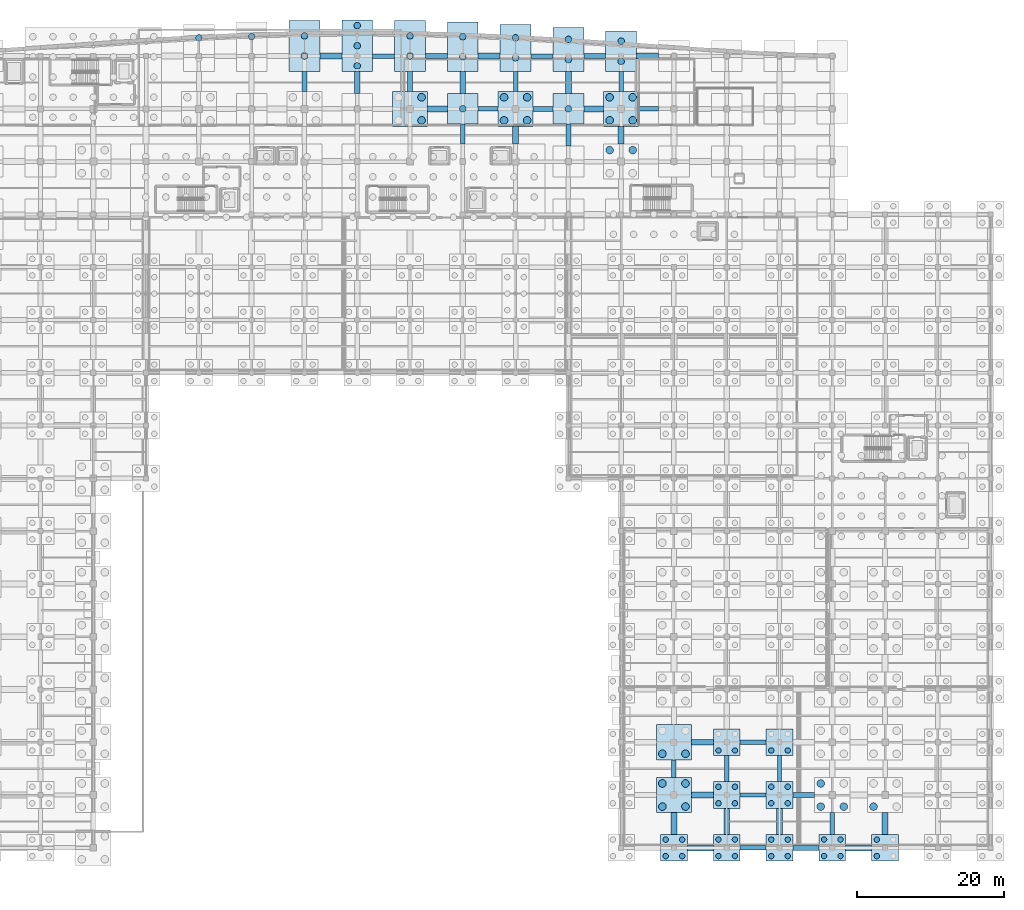
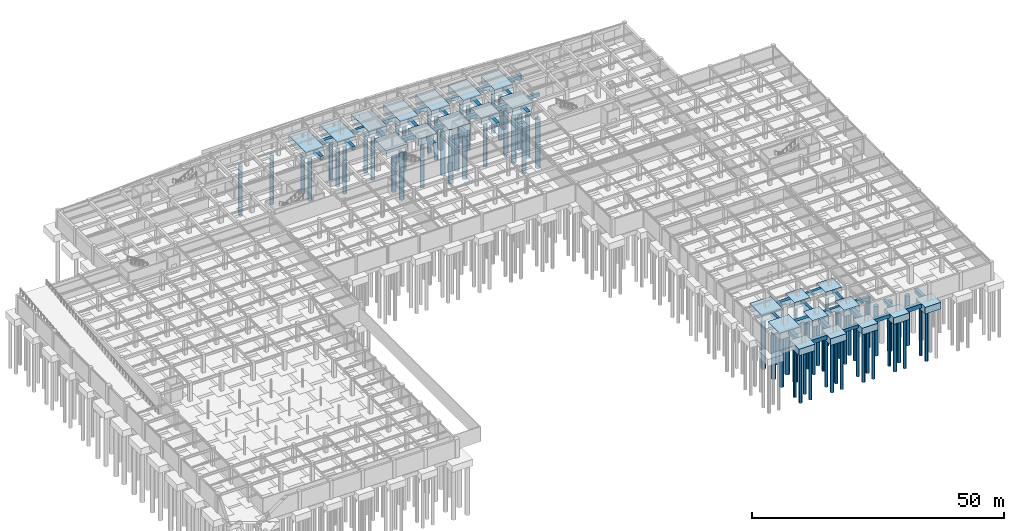
# One storey, part 8 of 48: 71 piles, 63 footings.
"""IFC4 building model written with IfcOpenShell, lengths in metres."""

import ifcopenshell
import ifcopenshell.guid

model = None  # the IFC model being written
_history = None  # IfcOwnerHistory: only IFC2X3 demands one
_inside = {}  # id of a spatial element -> (the spatial element, [elements in it])
_under = {}  # id of a project, library or spatial element -> (it, [spatial elements below it])
_declared = {}  # id of a project -> (the project, [libraries it declares])
_typed = {}  # id of a type object -> (the type object, [elements of that type])
_made_of = {}  # id of a material, layer set ... -> (it, [elements and type objects made of it])


def new_model(schema):
    """Start an empty IFC model of exactly this schema.

    Asked for "IFC4X3", IfcOpenShell would pick the latest addendum, in which some entities
    have other attributes; the version numbers below select the first issue.
    IFC2X3 requires an IfcOwnerHistory on every rooted entity: one is made here for all.
    """
    global model, _history
    if schema == "IFC4X3":
        model = ifcopenshell.file(schema_version=(4, 3, 0, 0))
    else:
        model = ifcopenshell.file(schema=schema)
    _inside.clear()
    _under.clear()
    _declared.clear()
    _typed.clear()
    _made_of.clear()
    _history = None
    if model.schema == "IFC2X3":
        org = make("IfcOrganization", Name="unknown")
        user = make(
            "IfcPersonAndOrganization",
            ThePerson=make("IfcPerson", FamilyName="unknown"),
            TheOrganization=org,
        )
        app = make(
            "IfcApplication",
            ApplicationDeveloper=org,
            Version="unknown",
            ApplicationFullName="unknown",
            ApplicationIdentifier="unknown",
        )
        _history = make(
            "IfcOwnerHistory",
            OwningUser=user,
            OwningApplication=app,
            ChangeAction="ADDED",
            CreationDate=0,
        )
    return model


def make(cls, **values):
    """One entity of the class cls with the attributes given. An attribute that is None is left unset."""
    return model.create_entity(
        cls, **{name: value for name, value in values.items() if value is not None}
    )


def rooted(cls, **values):
    """An entity with a GlobalId (a new one), such as an element, a storey or a relation."""
    return make(cls, GlobalId=ifcopenshell.guid.new(), OwnerHistory=_history, **values)


def si_unit(unit_type, name, prefix=None):
    """IfcSIUnit, for example si_unit("LENGTHUNIT", "METRE", prefix="MILLI")."""
    return make("IfcSIUnit", UnitType=unit_type, Prefix=prefix, Name=name)


def assignment(units):
    """IfcUnitAssignment: the units of a project."""
    return None if units is None else make("IfcUnitAssignment", Units=units)


def point(xyz):
    """IfcCartesianPoint."""
    return None if xyz is None else make("IfcCartesianPoint", Coordinates=xyz)


def direction(xyz):
    """IfcDirection."""
    return None if xyz is None else make("IfcDirection", DirectionRatios=xyz)


def frame(location, z_axis=None, x_axis=None):
    """IfcAxis2Placement3D, a coordinate frame: its origin and axes. An axis left out is left unset."""
    return make(
        "IfcAxis2Placement3D",
        Location=point(location),
        Axis=direction(z_axis),
        RefDirection=direction(x_axis),
    )


def frame_2d(location, x_axis=None):
    """IfcAxis2Placement2D, a coordinate frame in the plane: its origin and x axis."""
    return make(
        "IfcAxis2Placement2D", Location=point(location), RefDirection=direction(x_axis)
    )


def origin():
    """The frame at (0, 0, 0) with its axes left unset."""
    return frame((0.0, 0.0, 0.0))


def origin_2d():
    """The frame at (0, 0) in the plane with its x axis left unset."""
    return frame_2d((0.0, 0.0))


def place(relative_to, where):
    """IfcLocalPlacement: puts the frame where relative to a parent placement (None: the world)."""
    return make(
        "IfcLocalPlacement", PlacementRelTo=relative_to, RelativePlacement=where
    )


def context(
    kind, dimensions, precision=None, world=None, true_north=None, identifier=None
):
    """IfcGeometricRepresentationContext, for example the 3D "Model" context."""
    return make(
        "IfcGeometricRepresentationContext",
        ContextIdentifier=identifier,
        ContextType=kind,
        CoordinateSpaceDimension=dimensions,
        Precision=precision,
        WorldCoordinateSystem=world,
        TrueNorth=true_north,
    )


def subcontext(parent, identifier, kind, view, scale=None):
    """IfcGeometricRepresentationSubContext, for example "Body" below "Model"."""
    return make(
        "IfcGeometricRepresentationSubContext",
        ContextIdentifier=identifier,
        ContextType=kind,
        ParentContext=parent,
        TargetScale=scale,
        TargetView=view,
    )


def project(units=None, contexts=None):
    """IfcProject with its units and contexts."""
    return rooted(
        "IfcProject",
        Name="project",
        RepresentationContexts=contexts,
        UnitsInContext=assignment(units),
    )


def spatial(cls, under=None, at=None, **own):
    """A site, building, storey or space (cls), placed at a placement, below another one or the project."""
    s = rooted(cls, ObjectPlacement=at, **own)
    if under is not None:
        _under.setdefault(under.id(), (under, []))[1].append(s)
    return s


def profile(cls, at=None, kind="AREA", **sizes):
    """A parametric profile (cls). Its sizes go by their IFC names, for example OverallWidth=200.0."""
    return make(cls, ProfileType=kind, Position=at, **sizes)


def rectangle(**sizes):
    """IfcRectangleProfileDef."""
    return profile("IfcRectangleProfileDef", **sizes)


def circle(**sizes):
    """IfcCircleProfileDef."""
    return profile("IfcCircleProfileDef", **sizes)


def extrude(swept, where, along, depth):
    """IfcExtrudedAreaSolid: the profile swept, set in the frame where, extruded along a direction by depth."""
    return make(
        "IfcExtrudedAreaSolid",
        SweptArea=swept,
        Position=where,
        ExtrudedDirection=direction(along),
        Depth=depth,
    )


def shape(context_of_items, identifier, shape_type, items):
    """IfcShapeRepresentation: the items that make up one representation, for example the "Body"."""
    return make(
        "IfcShapeRepresentation",
        ContextOfItems=context_of_items,
        RepresentationIdentifier=identifier,
        RepresentationType=shape_type,
        Items=items,
    )


def material(Name=None, Category=None):
    """IfcMaterial."""
    return make("IfcMaterial", Name=Name, Category=Category)


def material_profile(
    of_material, cross_section, Name=None, Category=None, Priority=None
):
    """IfcMaterialProfile: a cross section and its material."""
    return make(
        "IfcMaterialProfile",
        Name=Name,
        Material=of_material,
        Profile=cross_section,
        Priority=Priority,
        Category=Category,
    )


def profile_set(profiles, Name=None, composite=None):
    """IfcMaterialProfileSet."""
    return make(
        "IfcMaterialProfileSet",
        Name=Name,
        MaterialProfiles=profiles,
        CompositeProfile=composite,
    )


def made_of(thing, what):
    """Note that an element or type object is made of a material, layer set ...; save() writes the relation."""
    if what is not None:
        _made_of.setdefault(what.id(), (what, []))[1].append(thing)
    return thing


def type_object(cls, material=None, **own):
    """A type object (cls), such as IfcWallType, which elements share."""
    return made_of(rooted(cls, **own), material)


def element(
    cls,
    number,
    at=None,
    inside=None,
    cuts=None,
    type_object=None,
    material=None,
    context=None,
    identifier="Body",
    shape_type=None,
    held_by="IfcProductDefinitionShape",
    body=None,
    shapes=None,
    **own,
):
    """One element of the class cls, such as IfcWall. Its Tag is "e" and its number.

    at: its placement. inside: the storey or other place that contains it. cuts: it is an
    opening in that element (IfcRelVoidsElement). A single representation is given by context,
    identifier, shape_type and body (its items); several are given by shapes. held_by: the class
    of the entity that holds the representations. save() writes the other relations.
    """
    e = rooted(cls, Tag="e%d" % number, ObjectPlacement=at, **own)
    if body is not None:
        shapes = [shape(context, identifier, shape_type, body)]
    if shapes is not None:
        e.Representation = make(held_by, Representations=shapes)
    if inside is not None:
        _inside.setdefault(inside.id(), (inside, []))[1].append(e)
    if cuts is not None:
        rooted(
            "IfcRelVoidsElement", RelatingBuildingElement=cuts, RelatedOpeningElement=e
        )
    if type_object is not None:
        _typed.setdefault(type_object.id(), (type_object, []))[1].append(e)
    return made_of(e, material)


def aggregate(whole, parts):
    """IfcRelAggregates: a whole, such as a stair, and the parts it consists of."""
    return rooted("IfcRelAggregates", RelatingObject=whole, RelatedObjects=parts)


def save(model, path):
    """Write the relations noted so far, then the file.

    IfcRelAggregates (storeys below a building ...), IfcRelContainedInSpatialStructure (elements
    in a storey), IfcRelDefinesByType, IfcRelAssociatesMaterial and IfcRelDeclares: one each for
    every whole, place, type object, material and project.
    """
    for whole, parts in _under.values():
        aggregate(whole, parts)
    for where, things in _inside.values():
        rooted(
            "IfcRelContainedInSpatialStructure",
            RelatedElements=things,
            RelatingStructure=where,
        )
    for kind, things in _typed.values():
        rooted("IfcRelDefinesByType", RelatedObjects=things, RelatingType=kind)
    for what, things in _made_of.values():
        rooted("IfcRelAssociatesMaterial", RelatedObjects=things, RelatingMaterial=what)
    for by, libraries in _declared.values():
        rooted("IfcRelDeclares", RelatingContext=by, RelatedDefinitions=libraries)
    model.write(path)


model = new_model("IFC4")

# Units and contexts
model_context = context("Model", 3, precision=1e-05, world=origin(), true_north=direction((0.0, 1.0)))
body_context = subcontext(model_context, "Body", "Model", "MODEL_VIEW")
ifc_project = project(units=[si_unit("LENGTHUNIT", "METRE"), si_unit("AREAUNIT", "SQUARE_METRE"), si_unit("VOLUMEUNIT", "CUBIC_METRE"), si_unit("PLANEANGLEUNIT", "RADIAN"), si_unit("MASSUNIT", "GRAM", prefix="KILO")], contexts=[model_context])

# Site, building, storey
site_placement = place(None, origin())
site = spatial("IfcSite", under=ifc_project, at=site_placement, CompositionType="ELEMENT")
building_placement = place(site_placement, origin())
building = spatial("IfcBuilding", under=site, at=building_placement, Name="Carrowvane Square Congress Hotel", CompositionType="ELEMENT")
storey_placement = place(building_placement, frame((0.0, 0.0, -4.5)))
storey = spatial("IfcBuildingStorey", under=building, at=storey_placement, Name="B01", CompositionType="ELEMENT", Elevation=-4.5)

# Footings
ifc_material_1 = material(Name="Concrete C35/45", Category="concrete")
ifc_material_profile_1 = material_profile(ifc_material_1, rectangle(XDim=0.60009765625, YDim=0.800048828125, at=origin_2d()), Name="RC 600x800")
ifc_profile_set_1 = profile_set([ifc_material_profile_1], Name="Concrete C35/45")
footing_type_1 = type_object("IfcFootingType", Name="FTG-BM-600x800", PredefinedType="FOOTING_BEAM", material=ifc_profile_set_1)
footing_1_placement = place(storey_placement, frame((112.39990234375, 101.39990234375, -0.39990234375), z_axis=(0.0, 1.0, 0.0), x_axis=(-1.0, 0.0, 0.0)))
element("IfcFooting", 1, at=footing_1_placement, inside=storey, type_object=footing_type_1, Name="Ground tie beam 134", PredefinedType="FOOTING_BEAM", context=body_context, shape_type="SweptSolid", body=[
    extrude(rectangle(XDim=0.60009765625, YDim=0.800048828125, at=origin_2d()), origin(), (0.0, 0.0, 1.0), 2.7001953125),
])
for number, where, z_axis, x_axis, name in (
    (2, (119.60009765625, 108.60009765625, -0.39990234375), (0.0, 1.0, 0.0), (-1.0, 0.0, 0.0), "Ground tie beam 139"),
    (3, (134.0, 108.60009765625, -0.39990234375), (0.0, 1.0, 0.0), (-1.0, 0.0, 0.0), "Ground tie beam 155"),
):
    element("IfcFooting", number, at=place(storey_placement, frame(where, z_axis=z_axis, x_axis=x_axis)), inside=storey, type_object=footing_type_1, Name=name, PredefinedType="FOOTING_BEAM", context=body_context, shape_type="SweptSolid", body=[
        extrude(rectangle(XDim=0.60009765625, YDim=0.800048828125, at=origin_2d()), origin(), (0.0, 0.0, 1.0), 2.699951171875),
    ])
footing_2_placement = place(storey_placement, frame((141.199951171875, 15.0, -0.39990234375), z_axis=(0.0, 1.0, 0.0), x_axis=(-1.0, 0.0, 0.0)))
element("IfcFooting", 4, at=footing_2_placement, inside=storey, type_object=footing_type_1, Name="Ground tie beam 157", PredefinedType="FOOTING_BEAM", context=body_context, shape_type="SweptSolid", body=[
    extrude(rectangle(XDim=0.60009765625, YDim=0.800048828125, at=origin_2d()), origin(), (0.0, 0.0, 1.0), 2.39990234375),
])
for number, where, z_axis, x_axis, name in (
    (5, (148.39990234375, 14.425048828125, -0.39990234375), (0.0, 1.0, 0.0), (-1.0, 0.0, 0.0), "Ground tie beam 171"),
    (6, (155.60009765625, 14.425048828125, -0.39990234375), (0.0, 1.0, 0.0), (-1.0, 0.0, 0.0), "Ground tie beam 185"),
):
    element("IfcFooting", number, at=place(storey_placement, frame(where, z_axis=z_axis, x_axis=x_axis)), inside=storey, type_object=footing_type_1, Name=name, PredefinedType="FOOTING_BEAM", context=body_context, shape_type="SweptSolid", body=[
        extrude(rectangle(XDim=0.60009765625, YDim=0.800048828125, at=origin_2d()), origin(), (0.0, 0.0, 1.0), 3.550048828125),
    ])
footing_3_placement = place(storey_placement, frame((162.800048828125, 7.22509765625, -0.39990234375), z_axis=(0.0, 1.0, 0.0), x_axis=(-1.0, 0.0, 0.0)))
element("IfcFooting", 7, at=footing_3_placement, inside=storey, type_object=footing_type_1, Name="Ground tie beam 199", PredefinedType="FOOTING_BEAM", context=body_context, shape_type="SweptSolid", body=[
    extrude(rectangle(XDim=0.60009765625, YDim=0.800048828125, at=origin_2d()), origin(), (0.0, 0.0, 1.0), 2.974853515625),
])
for number, where, z_axis, x_axis, name in (
    (8, (150.22509765625, 5.39990234375, -0.39990234375), (1.0, 0.0, 0.0), (0.0, 1.0, 0.0), "Ground tie beam 253"),
    (9, (150.22509765625, 12.60009765625, -0.39990234375), (1.0, 0.0, 0.0), (0.0, 1.0, 0.0), "Ground tie beam 267"),
    (10, (150.22509765625, 19.800048828125, -0.39990234375), (1.0, 0.0, 0.0), (0.0, 1.0, 0.0), "Ground tie beam 281"),
):
    element("IfcFooting", number, at=place(storey_placement, frame(where, z_axis=z_axis, x_axis=x_axis)), inside=storey, type_object=footing_type_1, Name=name, PredefinedType="FOOTING_BEAM", context=body_context, shape_type="SweptSolid", body=[
        extrude(rectangle(XDim=0.60009765625, YDim=0.800048828125, at=origin_2d()), origin(), (0.0, 0.0, 1.0), 3.5498046875),
    ])
footing_4_placement = place(storey_placement, frame((114.5, 106.199951171875, -0.39990234375), z_axis=(1.0, 0.0, 0.0), x_axis=(0.0, 1.0, 0.0)))
element("IfcFooting", 11, at=footing_4_placement, inside=storey, type_object=footing_type_1, Name="Ground tie beam 473", PredefinedType="FOOTING_BEAM", context=body_context, shape_type="SweptSolid", body=[
    extrude(rectangle(XDim=0.60009765625, YDim=0.800048828125, at=origin_2d()), origin(), (0.0, 0.0, 1.0), 2.699951171875),
])
footing_5_placement = place(storey_placement, frame((136.39990234375, 106.199951171875, -0.39990234375), z_axis=(1.0, 0.0, 0.0), x_axis=(0.0, 1.0, 0.0)))
element("IfcFooting", 12, at=footing_5_placement, inside=storey, type_object=footing_type_1, Name="Ground tie beam 476", PredefinedType="FOOTING_BEAM", context=body_context, shape_type="SweptSolid", body=[
    extrude(rectangle(XDim=0.60009765625, YDim=0.800048828125, at=origin_2d()), origin(), (0.0, 0.0, 1.0), 2.7001953125),
])
for number, where, z_axis, x_axis, name in (
    (13, (100.10009765625, 113.39990234375, -0.39990234375), (1.0, 0.0, 0.0), (0.0, 1.0, 0.0), "Ground tie beam 487"),
    (14, (121.699951171875, 113.39990234375, -0.39990234375), (1.0, 0.0, 0.0), (0.0, 1.0, 0.0), "Ground tie beam 490"),
):
    element("IfcFooting", number, at=place(storey_placement, frame(where, z_axis=z_axis, x_axis=x_axis)), inside=storey, type_object=footing_type_1, Name=name, PredefinedType="FOOTING_BEAM", context=body_context, shape_type="SweptSolid", body=[
        extrude(rectangle(XDim=0.60009765625, YDim=0.800048828125, at=origin_2d()), origin(), (0.0, 0.0, 1.0), 3.0),
    ])
ifc_material_2 = material(Name="Concrete C35/45", Category="concrete")
ifc_material_profile_2 = material_profile(ifc_material_2, rectangle(XDim=0.699951171875, YDim=0.89990234375, at=origin_2d()), Name="RC 700x900")
ifc_profile_set_2 = profile_set([ifc_material_profile_2], Name="Concrete C35/45")
footing_type_2 = type_object("IfcFootingType", Name="FTG-BM-700x900", PredefinedType="FOOTING_BEAM", material=ifc_profile_set_2)
footing_6_placement = place(storey_placement, frame((90.800048828125, 108.60009765625, -0.449951171875), z_axis=(0.0, 1.0, 0.0), x_axis=(-1.0, 0.0, 0.0)))
element("IfcFooting", 15, at=footing_6_placement, inside=storey, type_object=footing_type_2, Name="Ground tie beam 120", PredefinedType="FOOTING_BEAM", context=body_context, shape_type="SweptSolid", body=[
    extrude(rectangle(XDim=0.699951171875, YDim=0.89990234375, at=origin_2d()), origin(), (0.0, 0.0, 1.0), 2.699951171875),
])
footing_7_placement = place(storey_placement, frame((98.0, 108.300048828125, -0.449951171875), z_axis=(0.0, 1.0, 0.0), x_axis=(-1.0, 0.0, 0.0)))
element("IfcFooting", 16, at=footing_7_placement, inside=storey, type_object=footing_type_2, Name="Ground tie beam 125", PredefinedType="FOOTING_BEAM", context=body_context, shape_type="SweptSolid", body=[
    extrude(rectangle(XDim=0.699951171875, YDim=0.89990234375, at=origin_2d()), origin(), (0.0, 0.0, 1.0), 3.0),
])
footing_8_placement = place(storey_placement, frame((105.199951171875, 108.60009765625, -0.449951171875), z_axis=(0.0, 1.0, 0.0), x_axis=(-1.0, 0.0, 0.0)))
element("IfcFooting", 17, at=footing_8_placement, inside=storey, type_object=footing_type_2, Name="Ground tie beam 130", PredefinedType="FOOTING_BEAM", context=body_context, shape_type="SweptSolid", body=[
    extrude(rectangle(XDim=0.699951171875, YDim=0.89990234375, at=origin_2d()), origin(), (0.0, 0.0, 1.0), 2.699951171875),
])
for number, where, z_axis, x_axis, name in (
    (18, (112.39990234375, 108.300048828125, -0.449951171875), (0.0, 1.0, 0.0), (-1.0, 0.0, 0.0), "Ground tie beam 135"),
    (19, (126.800048828125, 101.10009765625, -0.449951171875), (0.0, 1.0, 0.0), (-1.0, 0.0, 0.0), "Ground tie beam 145"),
):
    element("IfcFooting", number, at=place(storey_placement, frame(where, z_axis=z_axis, x_axis=x_axis)), inside=storey, type_object=footing_type_2, Name=name, PredefinedType="FOOTING_BEAM", context=body_context, shape_type="SweptSolid", body=[
        extrude(rectangle(XDim=0.699951171875, YDim=0.89990234375, at=origin_2d()), origin(), (0.0, 0.0, 1.0), 3.0),
    ])
footing_9_placement = place(storey_placement, frame((157.425048828125, 5.39990234375, -0.449951171875), z_axis=(1.0, 0.0, 0.0), x_axis=(0.0, 1.0, 0.0)))
element("IfcFooting", 20, at=footing_9_placement, inside=storey, type_object=footing_type_2, Name="Ground tie beam 254", PredefinedType="FOOTING_BEAM", context=body_context, shape_type="SweptSolid", body=[
    extrude(rectangle(XDim=0.699951171875, YDim=0.89990234375, at=origin_2d()), origin(), (0.0, 0.0, 1.0), 3.550048828125),
])
footing_10_placement = place(storey_placement, frame((157.425048828125, 12.60009765625, -0.449951171875), z_axis=(1.0, 0.0, 0.0), x_axis=(0.0, 1.0, 0.0)))
element("IfcFooting", 21, at=footing_10_placement, inside=storey, type_object=footing_type_2, Name="Ground tie beam 268", PredefinedType="FOOTING_BEAM", context=body_context, shape_type="SweptSolid", body=[
    extrude(rectangle(XDim=0.699951171875, YDim=0.89990234375, at=origin_2d()), origin(), (0.0, 0.0, 1.0), 2.974853515625),
])
footing_11_placement = place(storey_placement, frame((122.0, 106.199951171875, -0.449951171875), z_axis=(1.0, 0.0, 0.0), x_axis=(0.0, 1.0, 0.0)))
element("IfcFooting", 22, at=footing_11_placement, inside=storey, type_object=footing_type_2, Name="Ground tie beam 474", PredefinedType="FOOTING_BEAM", context=body_context, shape_type="SweptSolid", body=[
    extrude(rectangle(XDim=0.699951171875, YDim=0.89990234375, at=origin_2d()), origin(), (0.0, 0.0, 1.0), 2.699951171875),
])
for number, where, z_axis, x_axis, name in (
    (23, (107.300048828125, 113.39990234375, -0.449951171875), (1.0, 0.0, 0.0), (0.0, 1.0, 0.0), "Ground tie beam 488"),
    (24, (128.89990234375, 113.39990234375, -0.449951171875), (1.0, 0.0, 0.0), (0.0, 1.0, 0.0), "Ground tie beam 491"),
):
    element("IfcFooting", number, at=place(storey_placement, frame(where, z_axis=z_axis, x_axis=x_axis)), inside=storey, type_object=footing_type_2, Name=name, PredefinedType="FOOTING_BEAM", context=body_context, shape_type="SweptSolid", body=[
        extrude(rectangle(XDim=0.699951171875, YDim=0.89990234375, at=origin_2d()), origin(), (0.0, 0.0, 1.0), 3.0),
    ])
ifc_material_3 = material(Name="Concrete C35/45", Category="concrete")
ifc_material_profile_3 = material_profile(ifc_material_3, rectangle(XDim=0.800048828125, YDim=1.0, at=origin_2d()), Name="RC 800x1000")
ifc_profile_set_3 = profile_set([ifc_material_profile_3], Name="Concrete C35/45")
footing_type_3 = type_object("IfcFootingType", Name="FTG-BM-800x1000", PredefinedType="FOOTING_BEAM", material=ifc_profile_set_3)
footing_12_placement = place(storey_placement, frame((119.60009765625, 101.39990234375, -0.5), z_axis=(0.0, 1.0, 0.0), x_axis=(-1.0, 0.0, 0.0)))
element("IfcFooting", 25, at=footing_12_placement, inside=storey, type_object=footing_type_3, Name="Ground tie beam 138", PredefinedType="FOOTING_BEAM", context=body_context, shape_type="SweptSolid", body=[
    extrude(rectangle(XDim=0.800048828125, YDim=1.0, at=origin_2d()), origin(), (0.0, 0.0, 1.0), 2.400146484375),
])
footing_13_placement = place(storey_placement, frame((126.800048828125, 108.300048828125, -0.5), z_axis=(0.0, 1.0, 0.0), x_axis=(-1.0, 0.0, 0.0)))
element("IfcFooting", 26, at=footing_13_placement, inside=storey, type_object=footing_type_3, Name="Ground tie beam 146", PredefinedType="FOOTING_BEAM", context=body_context, shape_type="SweptSolid", body=[
    extrude(rectangle(XDim=0.800048828125, YDim=1.0, at=origin_2d()), origin(), (0.0, 0.0, 1.0), 3.0),
])
footing_14_placement = place(storey_placement, frame((134.0, 101.39990234375, -0.5), z_axis=(0.0, 1.0, 0.0), x_axis=(-1.0, 0.0, 0.0)))
element("IfcFooting", 27, at=footing_14_placement, inside=storey, type_object=footing_type_3, Name="Ground tie beam 154", PredefinedType="FOOTING_BEAM", context=body_context, shape_type="SweptSolid", body=[
    extrude(rectangle(XDim=0.800048828125, YDim=1.0, at=origin_2d()), origin(), (0.0, 0.0, 1.0), 2.400146484375),
])
footing_15_placement = place(storey_placement, frame((141.199951171875, 7.22509765625, -0.5), z_axis=(0.0, 1.0, 0.0), x_axis=(-1.0, 0.0, 0.0)))
element("IfcFooting", 28, at=footing_15_placement, inside=storey, type_object=footing_type_3, Name="Ground tie beam 156", PredefinedType="FOOTING_BEAM", context=body_context, shape_type="SweptSolid", body=[
    extrude(rectangle(XDim=0.800048828125, YDim=1.0, at=origin_2d()), origin(), (0.0, 0.0, 1.0), 2.974853515625),
])
for number, where, z_axis, x_axis, name in (
    (29, (148.39990234375, 7.22509765625, -0.5), (0.0, 1.0, 0.0), (-1.0, 0.0, 0.0), "Ground tie beam 170"),
    (30, (155.60009765625, 7.22509765625, -0.5), (0.0, 1.0, 0.0), (-1.0, 0.0, 0.0), "Ground tie beam 184"),
):
    element("IfcFooting", number, at=place(storey_placement, frame(where, z_axis=z_axis, x_axis=x_axis)), inside=storey, type_object=footing_type_3, Name=name, PredefinedType="FOOTING_BEAM", context=body_context, shape_type="SweptSolid", body=[
        extrude(rectangle(XDim=0.800048828125, YDim=1.0, at=origin_2d()), origin(), (0.0, 0.0, 1.0), 3.5498046875),
    ])
footing_16_placement = place(storey_placement, frame((170.0, 7.22509765625, -0.5), z_axis=(0.0, 1.0, 0.0), x_axis=(-1.0, 0.0, 0.0)))
element("IfcFooting", 31, at=footing_16_placement, inside=storey, type_object=footing_type_3, Name="Ground tie beam 212", PredefinedType="FOOTING_BEAM", context=body_context, shape_type="SweptSolid", body=[
    extrude(rectangle(XDim=0.800048828125, YDim=1.0, at=origin_2d()), origin(), (0.0, 0.0, 1.0), 2.974853515625),
])
for number, where, z_axis, x_axis, name in (
    (32, (143.02490234375, 5.39990234375, -0.5), (1.0, 0.0, 0.0), (0.0, 1.0, 0.0), "Ground tie beam 252"),
    (33, (164.625, 5.39990234375, -0.5), (1.0, 0.0, 0.0), (0.0, 1.0, 0.0), "Ground tie beam 255"),
):
    element("IfcFooting", number, at=place(storey_placement, frame(where, z_axis=z_axis, x_axis=x_axis)), inside=storey, type_object=footing_type_3, Name=name, PredefinedType="FOOTING_BEAM", context=body_context, shape_type="SweptSolid", body=[
        extrude(rectangle(XDim=0.800048828125, YDim=1.0, at=origin_2d()), origin(), (0.0, 0.0, 1.0), 3.550048828125),
    ])
for number, where, z_axis, x_axis, name in (
    (34, (143.60009765625, 12.60009765625, -0.5), (1.0, 0.0, 0.0), (0.0, 1.0, 0.0), "Ground tie beam 266"),
    (35, (143.60009765625, 19.800048828125, -0.5), (1.0, 0.0, 0.0), (0.0, 1.0, 0.0), "Ground tie beam 280"),
):
    element("IfcFooting", number, at=place(storey_placement, frame(where, z_axis=z_axis, x_axis=x_axis)), inside=storey, type_object=footing_type_3, Name=name, PredefinedType="FOOTING_BEAM", context=body_context, shape_type="SweptSolid", body=[
        extrude(rectangle(XDim=0.800048828125, YDim=1.0, at=origin_2d()), origin(), (0.0, 0.0, 1.0), 2.974853515625),
    ])
footing_17_placement = place(storey_placement, frame((107.60009765625, 106.199951171875, -0.5), z_axis=(1.0, 0.0, 0.0), x_axis=(0.0, 1.0, 0.0)))
element("IfcFooting", 36, at=footing_17_placement, inside=storey, type_object=footing_type_3, Name="Ground tie beam 472", PredefinedType="FOOTING_BEAM", context=body_context, shape_type="SweptSolid", body=[
    extrude(rectangle(XDim=0.800048828125, YDim=1.0, at=origin_2d()), origin(), (0.0, 0.0, 1.0), 2.699951171875),
])
footing_18_placement = place(storey_placement, frame((128.89990234375, 106.199951171875, -0.5), z_axis=(1.0, 0.0, 0.0), x_axis=(0.0, 1.0, 0.0)))
element("IfcFooting", 37, at=footing_18_placement, inside=storey, type_object=footing_type_3, Name="Ground tie beam 475", PredefinedType="FOOTING_BEAM", context=body_context, shape_type="SweptSolid", body=[
    extrude(rectangle(XDim=0.800048828125, YDim=1.0, at=origin_2d()), origin(), (0.0, 0.0, 1.0), 2.7001953125),
])
for number, where, z_axis, x_axis, name in (
    (38, (92.89990234375, 113.39990234375, -0.5), (1.0, 0.0, 0.0), (0.0, 1.0, 0.0), "Ground tie beam 486"),
    (39, (114.5, 113.39990234375, -0.5), (1.0, 0.0, 0.0), (0.0, 1.0, 0.0), "Ground tie beam 489"),
    (40, (136.10009765625, 113.39990234375, -0.5), (1.0, 0.0, 0.0), (0.0, 1.0, 0.0), "Ground tie beam 492"),
):
    element("IfcFooting", number, at=place(storey_placement, frame(where, z_axis=z_axis, x_axis=x_axis)), inside=storey, type_object=footing_type_3, Name=name, PredefinedType="FOOTING_BEAM", context=body_context, shape_type="SweptSolid", body=[
        extrude(rectangle(XDim=0.800048828125, YDim=1.0, at=origin_2d()), origin(), (0.0, 0.0, 1.0), 3.0),
    ])
ifc_material_4 = material(Name="Concrete C35/45", Category="concrete")
footing_type_4 = type_object("IfcFootingType", Name="FTG-PC-01", PredefinedType="PILE_CAP", material=ifc_material_4)
for number, where, z_axis, x_axis, name in (
    (41, (141.199951171875, 12.60009765625, -1.60009765625), (0.0, 0.0, 1.0), (1.0, 0.0, 0.0), "B01 PC-1 19"),
    (42, (141.199951171875, 19.800048828125, -1.60009765625), (0.0, 0.0, 1.0), (1.0, 0.0, 0.0), "B01 PC-1 35"),
    (43, (105.199951171875, 106.199951171875, -1.60009765625), (0.0, 0.0, 1.0), (1.0, 0.0, 0.0), "B01 PC-1 244"),
    (44, (119.60009765625, 106.199951171875, -1.60009765625), (0.0, 0.0, 1.0), (1.0, 0.0, 0.0), "B01 PC-1 245"),
    (45, (134.0, 106.199951171875, -1.60009765625), (0.0, 0.0, 1.0), (1.0, 0.0, 0.0), "B01 PC-1 246"),
):
    element("IfcFooting", number, at=place(storey_placement, frame(where, z_axis=z_axis, x_axis=x_axis)), inside=storey, type_object=footing_type_4, Name=name, PredefinedType="PILE_CAP", context=body_context, shape_type="SweptSolid", body=[
        extrude(rectangle(XDim=4.800048828125, YDim=4.800048828125, at=origin_2d()), origin(), (0.0, 0.0, 1.0), 1.60009765625),
    ])
ifc_material_5 = material(Name="Concrete C35/45", Category="concrete")
footing_type_5 = type_object("IfcFootingType", Name="FTG-PC-02", PredefinedType="PILE_CAP", material=ifc_material_5)
for number, where, z_axis, x_axis, name in (
    (46, (141.199951171875, 5.39990234375, -1.60009765625), (0.0, 0.0, 1.0), (1.0, 0.0, 0.0), "B01 PC-2 10"),
    (47, (148.39990234375, 5.39990234375, -1.60009765625), (0.0, 0.0, 1.0), (1.0, 0.0, 0.0), "B01 PC-2 11"),
    (48, (155.60009765625, 5.39990234375, -1.60009765625), (0.0, 0.0, 1.0), (1.0, 0.0, 0.0), "B01 PC-2 12"),
    (49, (162.800048828125, 5.39990234375, -1.60009765625), (0.0, 0.0, 1.0), (1.0, 0.0, 0.0), "B01 PC-2 13"),
    (50, (170.0, 5.39990234375, -1.60009765625), (0.0, 0.0, 1.0), (1.0, 0.0, 0.0), "B01 PC-2 14"),
    (51, (148.39990234375, 12.60009765625, -1.60009765625), (0.0, 0.0, 1.0), (1.0, 0.0, 0.0), "B01 PC-2 29"),
    (52, (155.60009765625, 12.60009765625, -1.60009765625), (0.0, 0.0, 1.0), (1.0, 0.0, 0.0), "B01 PC-2 30"),
    (53, (148.39990234375, 19.800048828125, -1.60009765625), (0.0, 0.0, 1.0), (1.0, 0.0, 0.0), "B01 PC-2 45"),
    (54, (155.60009765625, 19.800048828125, -1.60009765625), (0.0, 0.0, 1.0), (1.0, 0.0, 0.0), "B01 PC-2 46"),
):
    element("IfcFooting", number, at=place(storey_placement, frame(where, z_axis=z_axis, x_axis=x_axis)), inside=storey, type_object=footing_type_5, Name=name, PredefinedType="PILE_CAP", context=body_context, shape_type="SweptSolid", body=[
        extrude(rectangle(XDim=3.64990234375, YDim=3.64990234375, at=origin_2d()), origin(), (0.0, 0.0, 1.0), 1.60009765625),
    ])
ifc_material_6 = material(Name="Concrete C35/45", Category="concrete")
footing_type_6 = type_object("IfcFootingType", Name="FTG-PC-04", PredefinedType="PILE_CAP", material=ifc_material_6)
for number, where, z_axis, x_axis, name in (
    (55, (112.39990234375, 106.199951171875, -1.60009765625), (0.0, 0.0, 1.0), (1.0, 0.0, 0.0), "B01 PC-4 252"),
    (56, (126.800048828125, 106.199951171875, -1.60009765625), (0.0, 0.0, 1.0), (1.0, 0.0, 0.0), "B01 PC-4 253"),
):
    element("IfcFooting", number, at=place(storey_placement, frame(where, z_axis=z_axis, x_axis=x_axis)), inside=storey, type_object=footing_type_6, Name=name, PredefinedType="PILE_CAP", context=body_context, shape_type="SweptSolid", body=[
        extrude(rectangle(XDim=4.199951171875, YDim=4.199951171875, at=origin_2d()), origin(), (0.0, 0.0, 1.0), 1.60009765625),
    ])
ifc_material_7 = material(Name="Concrete C35/45", Category="concrete")
footing_type_7 = type_object("IfcFootingType", Name="FTG-PC-05", PredefinedType="PILE_CAP", material=ifc_material_7)
footing_19_placement = place(storey_placement, frame((119.60009765625, 114.5087890625, -1.60009765625), z_axis=(0.0, 0.0, 1.0), x_axis=(1.0, 0.0, 0.0)))
element("IfcFooting", 57, at=footing_19_placement, inside=storey, type_object=footing_type_7, Name="B01 PC-5 267", PredefinedType="PILE_CAP", context=body_context, shape_type="SweptSolid", body=[
    extrude(rectangle(XDim=4.199951171875, YDim=6.41796875, at=origin_2d()), origin(), (0.0, 0.0, 1.0), 1.60009765625),
])
ifc_material_8 = material(Name="Concrete C35/45", Category="concrete")
footing_type_8 = type_object("IfcFootingType", Name="FTG-PC-06", PredefinedType="PILE_CAP", material=ifc_material_8)
footing_20_placement = place(storey_placement, frame((112.39990234375, 114.672119140625, -1.60009765625), z_axis=(0.0, 0.0, 1.0), x_axis=(1.0, 0.0, 0.0)))
element("IfcFooting", 58, at=footing_20_placement, inside=storey, type_object=footing_type_8, Name="B01 PC-6 266", PredefinedType="PILE_CAP", context=body_context, shape_type="SweptSolid", body=[
    extrude(rectangle(XDim=4.199951171875, YDim=6.743896484375, at=origin_2d()), origin(), (0.0, 0.0, 1.0), 1.60009765625),
])
ifc_material_9 = material(Name="Concrete C35/45", Category="concrete")
footing_type_9 = type_object("IfcFootingType", Name="FTG-PC-07", PredefinedType="PILE_CAP", material=ifc_material_9)
for number, where, z_axis, x_axis, name in (
    (59, (90.800048828125, 114.77490234375, -1.60009765625), (0.0, 0.0, 1.0), (1.0, 0.0, 0.0), "B01 PC-7 263"),
    (60, (105.199951171875, 114.77490234375, -1.60009765625), (0.0, 0.0, 1.0), (1.0, 0.0, 0.0), "B01 PC-7 265"),
):
    element("IfcFooting", number, at=place(storey_placement, frame(where, z_axis=z_axis, x_axis=x_axis)), inside=storey, type_object=footing_type_9, Name=name, PredefinedType="PILE_CAP", context=body_context, shape_type="SweptSolid", body=[
        extrude(rectangle(XDim=4.199951171875, YDim=6.949951171875, at=origin_2d()), origin(), (0.0, 0.0, 1.0), 1.60009765625),
    ])
ifc_material_10 = material(Name="Concrete C35/45", Category="concrete")
footing_type_10 = type_object("IfcFootingType", Name="FTG-PC-08", PredefinedType="PILE_CAP", material=ifc_material_10)
footing_21_placement = place(storey_placement, frame((98.0, 114.81005859375, -1.60009765625), z_axis=(0.0, 0.0, 1.0), x_axis=(1.0, 0.0, 0.0)))
element("IfcFooting", 61, at=footing_21_placement, inside=storey, type_object=footing_type_10, Name="B01 PC-8 264", PredefinedType="PILE_CAP", context=body_context, shape_type="SweptSolid", body=[
    extrude(rectangle(XDim=4.199951171875, YDim=7.02001953125, at=origin_2d()), origin(), (0.0, 0.0, 1.0), 1.60009765625),
])
ifc_material_11 = material(Name="Concrete C35/45", Category="concrete")
footing_type_11 = type_object("IfcFootingType", Name="FTG-PC-09", PredefinedType="PILE_CAP", material=ifc_material_11)
footing_22_placement = place(storey_placement, frame((126.800048828125, 114.297119140625, -1.60009765625), z_axis=(0.0, 0.0, 1.0), x_axis=(1.0, 0.0, 0.0)))
element("IfcFooting", 62, at=footing_22_placement, inside=storey, type_object=footing_type_11, Name="B01 PC-9 268", PredefinedType="PILE_CAP", context=body_context, shape_type="SweptSolid", body=[
    extrude(rectangle(XDim=4.199951171875, YDim=5.993896484375, at=origin_2d()), origin(), (0.0, 0.0, 1.0), 1.60009765625),
])
ifc_material_12 = material(Name="Concrete C35/45", Category="concrete")
footing_type_12 = type_object("IfcFootingType", Name="FTG-PC-10", PredefinedType="PILE_CAP", material=ifc_material_12)
footing_23_placement = place(storey_placement, frame((134.0, 114.052978515625, -1.60009765625), z_axis=(0.0, 0.0, 1.0), x_axis=(1.0, 0.0, 0.0)))
element("IfcFooting", 63, at=footing_23_placement, inside=storey, type_object=footing_type_12, Name="B01 PC-10 269", PredefinedType="PILE_CAP", context=body_context, shape_type="SweptSolid", body=[
    extrude(rectangle(XDim=4.199951171875, YDim=5.506103515625, at=origin_2d()), origin(), (0.0, 0.0, 1.0), 1.60009765625),
])

# Piles
ifc_material_13 = material(Name="Concrete C35/45", Category="concrete")
ifc_material_profile_4 = material_profile(ifc_material_13, circle(Radius=0.52490234375, at=origin_2d()), Name="PILE D1050")
ifc_profile_set_4 = profile_set([ifc_material_profile_4], Name="Concrete C35/45")
pile_type_1 = type_object("IfcPileType", Name="PILE-B-1050", PredefinedType="BORED", material=ifc_profile_set_4)
for number, where, z_axis, x_axis, name in (
    (64, (139.625, 11.02490234375, -1.5), (0.0, 0.0, -1.0), (1.0, 0.0, 0.0), "Bored pile P-3-0073"),
    (65, (139.625, 14.175048828125, -1.5), (0.0, 0.0, -1.0), (1.0, 0.0, 0.0), "Bored pile P-3-0074"),
    (66, (142.77490234375, 11.02490234375, -1.5), (0.0, 0.0, -1.0), (1.0, 0.0, 0.0), "Bored pile P-3-0075"),
    (67, (142.77490234375, 14.175048828125, -1.5), (0.0, 0.0, -1.0), (1.0, 0.0, 0.0), "Bored pile P-3-0076"),
    (68, (161.22509765625, 11.02490234375, -1.5), (0.0, 0.0, -1.0), (1.0, 0.0, 0.0), "Bored pile P-3-0077"),
    (69, (161.22509765625, 14.175048828125, -1.5), (0.0, 0.0, -1.0), (1.0, 0.0, 0.0), "Bored pile P-3-0078"),
    (70, (164.375, 11.02490234375, -1.5), (0.0, 0.0, -1.0), (1.0, 0.0, 0.0), "Bored pile P-3-0079"),
    (71, (168.425048828125, 11.02490234375, -1.5), (0.0, 0.0, -1.0), (1.0, 0.0, 0.0), "Bored pile P-3-0081"),
    (72, (139.625, 18.22509765625, -1.5), (0.0, 0.0, -1.0), (1.0, 0.0, 0.0), "Bored pile P-3-0137"),
    (73, (142.77490234375, 18.22509765625, -1.5), (0.0, 0.0, -1.0), (1.0, 0.0, 0.0), "Bored pile P-3-0139"),
    (74, (132.425048828125, 100.574951171875, -1.5), (0.0, 0.0, -1.0), (1.0, 0.0, 0.0), "Bored pile P-3-1055"),
    (75, (135.574951171875, 100.574951171875, -1.5), (0.0, 0.0, -1.0), (1.0, 0.0, 0.0), "Bored pile P-3-1057"),
    (76, (106.77490234375, 104.625, -1.5), (0.0, 0.0, -1.0), (1.0, 0.0, 0.0), "Bored pile P-3-1112"),
    (77, (106.77490234375, 107.77490234375, -1.5), (0.0, 0.0, -1.0), (1.0, 0.0, 0.0), "Bored pile P-3-1113"),
    (78, (118.02490234375, 104.625, -1.5), (0.0, 0.0, -1.0), (1.0, 0.0, 0.0), "Bored pile P-3-1114"),
    (79, (118.02490234375, 107.77490234375, -1.5), (0.0, 0.0, -1.0), (1.0, 0.0, 0.0), "Bored pile P-3-1115"),
    (80, (121.175048828125, 104.625, -1.5), (0.0, 0.0, -1.0), (1.0, 0.0, 0.0), "Bored pile P-3-1116"),
    (81, (121.175048828125, 107.77490234375, -1.5), (0.0, 0.0, -1.0), (1.0, 0.0, 0.0), "Bored pile P-3-1117"),
    (82, (132.425048828125, 104.625, -1.5), (0.0, 0.0, -1.0), (1.0, 0.0, 0.0), "Bored pile P-3-1118"),
    (83, (132.425048828125, 107.77490234375, -1.5), (0.0, 0.0, -1.0), (1.0, 0.0, 0.0), "Bored pile P-3-1119"),
    (84, (135.574951171875, 104.625, -1.5), (0.0, 0.0, -1.0), (1.0, 0.0, 0.0), "Bored pile P-3-1120"),
    (85, (135.574951171875, 107.77490234375, -1.5), (0.0, 0.0, -1.0), (1.0, 0.0, 0.0), "Bored pile P-3-1121"),
):
    element("IfcPile", number, at=place(storey_placement, frame(where, z_axis=z_axis, x_axis=x_axis)), inside=storey, type_object=pile_type_1, Name=name, PredefinedType="BORED", context=body_context, shape_type="SweptSolid", body=[
        extrude(circle(Radius=0.52490234375, at=origin_2d()), origin(), (0.0, 0.0, 1.0), 12.0),
    ])
ifc_material_14 = material(Name="Concrete C35/45", Category="concrete")
ifc_material_profile_5 = material_profile(ifc_material_14, circle(Radius=0.375, at=origin_2d()), Name="PILE D750")
ifc_profile_set_5 = profile_set([ifc_material_profile_5], Name="Concrete C35/45")
pile_type_2 = type_object("IfcPileType", Name="PILE-B-750", PredefinedType="BORED", material=ifc_profile_set_5)
for number, where, z_axis, x_axis, name in (
    (86, (140.074951171875, 4.27490234375, -1.5), (0.0, 0.0, -1.0), (1.0, 0.0, 0.0), "Bored pile P-1-0037"),
    (87, (140.074951171875, 6.52490234375, -1.5), (0.0, 0.0, -1.0), (1.0, 0.0, 0.0), "Bored pile P-1-0038"),
    (88, (142.324951171875, 4.27490234375, -1.5), (0.0, 0.0, -1.0), (1.0, 0.0, 0.0), "Bored pile P-1-0039"),
    (89, (142.324951171875, 6.52490234375, -1.5), (0.0, 0.0, -1.0), (1.0, 0.0, 0.0), "Bored pile P-1-0040"),
    (90, (147.27490234375, 4.27490234375, -1.5), (0.0, 0.0, -1.0), (1.0, 0.0, 0.0), "Bored pile P-1-0041"),
    (91, (147.27490234375, 6.52490234375, -1.5), (0.0, 0.0, -1.0), (1.0, 0.0, 0.0), "Bored pile P-1-0042"),
    (92, (149.52490234375, 4.27490234375, -1.5), (0.0, 0.0, -1.0), (1.0, 0.0, 0.0), "Bored pile P-1-0043"),
    (93, (149.52490234375, 6.52490234375, -1.5), (0.0, 0.0, -1.0), (1.0, 0.0, 0.0), "Bored pile P-1-0044"),
    (94, (154.47509765625, 4.27490234375, -1.5), (0.0, 0.0, -1.0), (1.0, 0.0, 0.0), "Bored pile P-1-0045"),
    (95, (154.47509765625, 6.52490234375, -1.5), (0.0, 0.0, -1.0), (1.0, 0.0, 0.0), "Bored pile P-1-0046"),
    (96, (156.72509765625, 4.27490234375, -1.5), (0.0, 0.0, -1.0), (1.0, 0.0, 0.0), "Bored pile P-1-0047"),
    (97, (156.72509765625, 6.52490234375, -1.5), (0.0, 0.0, -1.0), (1.0, 0.0, 0.0), "Bored pile P-1-0048"),
    (98, (161.675048828125, 4.27490234375, -1.5), (0.0, 0.0, -1.0), (1.0, 0.0, 0.0), "Bored pile P-1-0049"),
    (99, (161.675048828125, 6.52490234375, -1.5), (0.0, 0.0, -1.0), (1.0, 0.0, 0.0), "Bored pile P-1-0050"),
    (100, (163.925048828125, 4.27490234375, -1.5), (0.0, 0.0, -1.0), (1.0, 0.0, 0.0), "Bored pile P-1-0051"),
    (101, (163.925048828125, 6.52490234375, -1.5), (0.0, 0.0, -1.0), (1.0, 0.0, 0.0), "Bored pile P-1-0052"),
    (102, (168.875, 4.27490234375, -1.5), (0.0, 0.0, -1.0), (1.0, 0.0, 0.0), "Bored pile P-1-0053"),
    (103, (168.875, 6.52490234375, -1.5), (0.0, 0.0, -1.0), (1.0, 0.0, 0.0), "Bored pile P-1-0054"),
    (104, (147.27490234375, 11.47509765625, -1.5), (0.0, 0.0, -1.0), (1.0, 0.0, 0.0), "Bored pile P-1-0113"),
    (105, (147.27490234375, 13.72509765625, -1.5), (0.0, 0.0, -1.0), (1.0, 0.0, 0.0), "Bored pile P-1-0114"),
    (106, (149.52490234375, 11.47509765625, -1.5), (0.0, 0.0, -1.0), (1.0, 0.0, 0.0), "Bored pile P-1-0115"),
    (107, (149.52490234375, 13.72509765625, -1.5), (0.0, 0.0, -1.0), (1.0, 0.0, 0.0), "Bored pile P-1-0116"),
    (108, (154.47509765625, 11.47509765625, -1.5), (0.0, 0.0, -1.0), (1.0, 0.0, 0.0), "Bored pile P-1-0117"),
    (109, (154.47509765625, 13.72509765625, -1.5), (0.0, 0.0, -1.0), (1.0, 0.0, 0.0), "Bored pile P-1-0118"),
    (110, (156.72509765625, 11.47509765625, -1.5), (0.0, 0.0, -1.0), (1.0, 0.0, 0.0), "Bored pile P-1-0119"),
    (111, (156.72509765625, 13.72509765625, -1.5), (0.0, 0.0, -1.0), (1.0, 0.0, 0.0), "Bored pile P-1-0120"),
    (112, (147.27490234375, 18.675048828125, -1.5), (0.0, 0.0, -1.0), (1.0, 0.0, 0.0), "Bored pile P-1-0177"),
    (113, (149.52490234375, 18.675048828125, -1.5), (0.0, 0.0, -1.0), (1.0, 0.0, 0.0), "Bored pile P-1-0179"),
    (114, (154.47509765625, 18.675048828125, -1.5), (0.0, 0.0, -1.0), (1.0, 0.0, 0.0), "Bored pile P-1-0181"),
    (115, (156.72509765625, 18.675048828125, -1.5), (0.0, 0.0, -1.0), (1.0, 0.0, 0.0), "Bored pile P-1-0183"),
):
    element("IfcPile", number, at=place(storey_placement, frame(where, z_axis=z_axis, x_axis=x_axis)), inside=storey, type_object=pile_type_2, Name=name, PredefinedType="BORED", context=body_context, shape_type="SweptSolid", body=[
        extrude(circle(Radius=0.375, at=origin_2d()), origin(), (0.0, 0.0, 1.0), 12.0),
    ])
ifc_material_15 = material(Name="Concrete C35/45", Category="concrete")
ifc_material_profile_6 = material_profile(ifc_material_15, circle(Radius=0.449951171875, at=origin_2d()), Name="PILE D900")
ifc_profile_set_6 = profile_set([ifc_material_profile_6], Name="Concrete C35/45")
pile_type_3 = type_object("IfcPileType", Name="PILE-B-900", PredefinedType="BORED", material=ifc_profile_set_6)
for number, where, z_axis, x_axis, name in (
    (116, (112.39990234375, 106.199951171875, -1.5), (0.0, 0.0, -1.0), (1.0, 0.0, 0.0), "Bored pile P-2-1127"),
    (117, (126.800048828125, 106.199951171875, -1.5), (0.0, 0.0, -1.0), (1.0, 0.0, 0.0), "Bored pile P-2-1128"),
    (118, (76.39990234375, 115.8837890625, -1.5), (0.0, 0.0, -1.0), (1.0, 0.0, 0.0), "Bored pile P-2-1137"),
    (119, (83.60009765625, 116.047119140625, -1.5), (0.0, 0.0, -1.0), (1.0, 0.0, 0.0), "Bored pile P-2-1139"),
    (120, (90.800048828125, 113.39990234375, -1.5), (0.0, 0.0, -1.0), (1.0, 0.0, 0.0), "Bored pile P-2-1140"),
    (121, (90.800048828125, 116.14990234375, -1.5), (0.0, 0.0, -1.0), (1.0, 0.0, 0.0), "Bored pile P-2-1141"),
    (122, (98.0, 112.06005859375, -1.5), (0.0, 0.0, -1.0), (1.0, 0.0, 0.0), "Bored pile P-2-1142"),
    (123, (98.0, 114.81005859375, -1.5), (0.0, 0.0, -1.0), (1.0, 0.0, 0.0), "Bored pile P-2-1143"),
    (124, (98.0, 117.56005859375, -1.5), (0.0, 0.0, -1.0), (1.0, 0.0, 0.0), "Bored pile P-2-1144"),
    (125, (105.199951171875, 113.39990234375, -1.5), (0.0, 0.0, -1.0), (1.0, 0.0, 0.0), "Bored pile P-2-1145"),
    (126, (105.199951171875, 116.14990234375, -1.5), (0.0, 0.0, -1.0), (1.0, 0.0, 0.0), "Bored pile P-2-1146"),
    (127, (112.39990234375, 113.297119140625, -1.5), (0.0, 0.0, -1.0), (1.0, 0.0, 0.0), "Bored pile P-2-1147"),
    (128, (112.39990234375, 116.047119140625, -1.5), (0.0, 0.0, -1.0), (1.0, 0.0, 0.0), "Bored pile P-2-1148"),
    (129, (119.60009765625, 113.1337890625, -1.5), (0.0, 0.0, -1.0), (1.0, 0.0, 0.0), "Bored pile P-2-1149"),
    (130, (119.60009765625, 115.8837890625, -1.5), (0.0, 0.0, -1.0), (1.0, 0.0, 0.0), "Bored pile P-2-1150"),
    (131, (126.800048828125, 112.922119140625, -1.5), (0.0, 0.0, -1.0), (1.0, 0.0, 0.0), "Bored pile P-2-1151"),
    (132, (126.800048828125, 115.672119140625, -1.5), (0.0, 0.0, -1.0), (1.0, 0.0, 0.0), "Bored pile P-2-1152"),
    (133, (134.0, 112.677978515625, -1.5), (0.0, 0.0, -1.0), (1.0, 0.0, 0.0), "Bored pile P-2-1153"),
    (134, (134.0, 115.427978515625, -1.5), (0.0, 0.0, -1.0), (1.0, 0.0, 0.0), "Bored pile P-2-1154"),
):
    element("IfcPile", number, at=place(storey_placement, frame(where, z_axis=z_axis, x_axis=x_axis)), inside=storey, type_object=pile_type_3, Name=name, PredefinedType="BORED", context=body_context, shape_type="SweptSolid", body=[
        extrude(circle(Radius=0.449951171875, at=origin_2d()), origin(), (0.0, 0.0, 1.0), 12.0),
    ])

save(model, "model.ifc")
